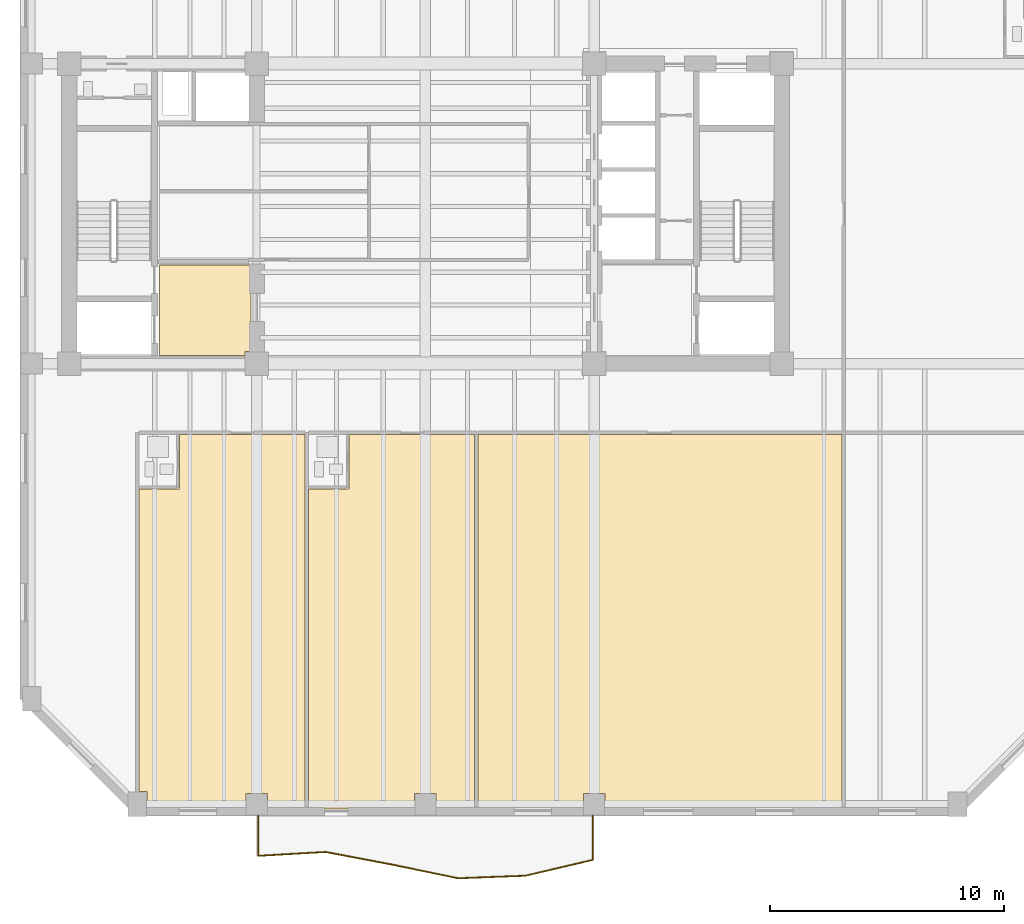
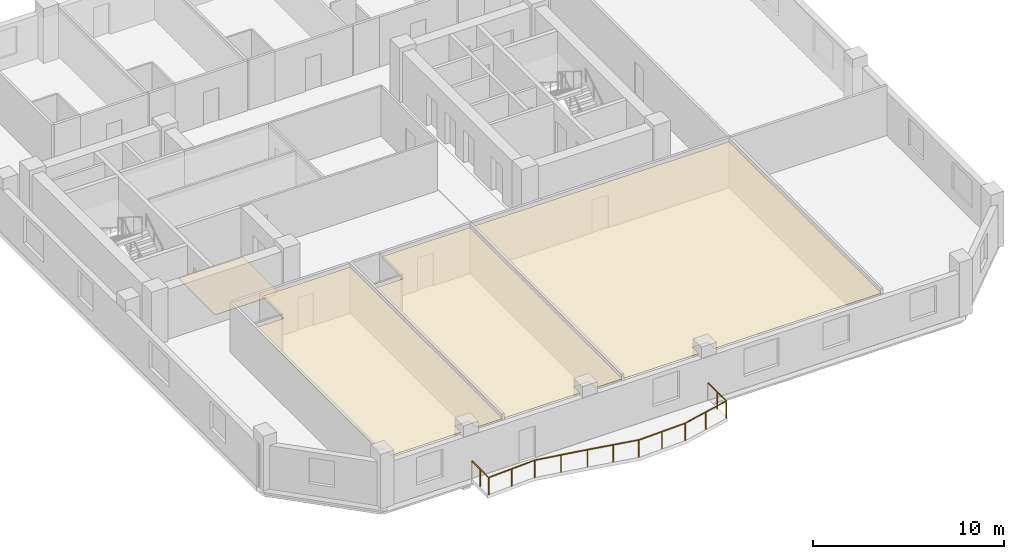
# One storey, part 7 of 10: 4 coverings, 1 railing.
"""IFC4 building model written with IfcOpenShell, lengths in metres."""

from ifc_helpers import new_model, si_unit, direction, frame, origin, origin_2d, place, context, subcontext, project, spatial, polyline, circle, outline, extrude, material, layer, layer_set, type_object, element, save


model = new_model("IFC4")

# Units and contexts
model_context = context("Model", 3, precision=1e-05, world=origin(), true_north=direction((0.0, 1.0)))
body_context = subcontext(model_context, "Body", "Model", "MODEL_VIEW")
ifc_project = project(units=[si_unit("LENGTHUNIT", "METRE"), si_unit("AREAUNIT", "SQUARE_METRE"), si_unit("VOLUMEUNIT", "CUBIC_METRE"), si_unit("PLANEANGLEUNIT", "RADIAN"), si_unit("MASSUNIT", "GRAM", prefix="KILO")], contexts=[model_context])

# Site, building, storey
site_placement = place(None, origin())
site = spatial("IfcSite", under=ifc_project, at=site_placement, CompositionType="ELEMENT")
building_placement = place(site_placement, origin())
building = spatial("IfcBuilding", under=site, at=building_placement, Name="Kranthara Brick Stack", CompositionType="ELEMENT")
storey_placement = place(building_placement, frame((0.0, 0.0, 144.800048828125)))
storey = spatial("IfcBuildingStorey", under=building, at=storey_placement, Name="L36", CompositionType="ELEMENT", Elevation=144.800048828125)

# Coverings
ifc_material_1 = material(Name="Perforated mineral-fibre acoustic ceiling tile", Category="other")
ifc_layer_1 = layer(ifc_material_1, 0.02490234375)
ifc_layer_set_1 = layer_set([ifc_layer_1], Name="Perforated mineral-fibre acoustic ceiling tile")
covering_type_1 = type_object("IfcCoveringType", Name="COV-CEIL-ACOUSTIC", PredefinedType="CEILING", material=ifc_layer_set_1)
covering_1_placement = place(storey_placement, frame((0.0, 0.0, 2.929931640625)))
element("IfcCovering", 1, at=covering_1_placement, inside=storey, type_object=covering_type_1, Name="L36 Room L36-01 Corner Junior Suite Acoustic Ceiling", PredefinedType="CEILING", context=body_context, shape_type="SweptSolid", body=[
    extrude(outline(polyline([(17.49658203125, 15.4599609375), (17.49658203125, 17.77001953125), (22.85595703125, 17.77001953125), (22.85595703125, 1.800048828125), (21.260009765625, 1.800048828125), (21.260009765625, 2.4599609375), (20.340087890625, 2.4599609375), (20.340087890625, 1.800048828125), (16.110107421875, 1.800048828125), (16.110107421875, 2.534912109375), (15.780029296875, 2.534912109375), (15.780029296875, 15.4599609375), (17.49658203125, 15.4599609375)])), origin(), (0.0, 0.0, 1.0), 0.02490234375),
])
covering_2_placement = place(storey_placement, frame((0.0, 0.0, 2.929931640625)))
element("IfcCovering", 2, at=covering_2_placement, inside=storey, type_object=covering_type_1, Name="L36 Room L36-02 Corner Junior Suite Acoustic Ceiling", PredefinedType="CEILING", context=body_context, shape_type="SweptSolid", body=[
    extrude(outline(polyline([(23.01611328125, 1.800048828125), (23.01611328125, 15.4599609375), (24.732666015625, 15.4599609375), (24.732666015625, 17.77001953125), (30.092041015625, 17.77001953125), (30.092041015625, 1.800048828125), (28.4599609375, 1.800048828125), (28.4599609375, 2.4599609375), (27.5400390625, 2.4599609375), (27.5400390625, 1.800048828125), (23.01611328125, 1.800048828125)])), origin(), (0.0, 0.0, 1.0), 0.02490234375),
])
covering_3_placement = place(storey_placement, frame((0.0, 0.0, 2.929931640625)))
element("IfcCovering", 3, at=covering_3_placement, inside=storey, type_object=covering_type_1, Name="L36 L36 Guest Sky Lounge 3 Acoustic Ceiling", PredefinedType="CEILING", context=body_context, shape_type="SweptSolid", body=[
    extrude(outline(polyline([(30.251953125, 1.800048828125), (30.251953125, 17.77001953125), (45.77001953125, 17.77001953125), (45.77001953125, 1.800048828125), (35.659912109375, 1.800048828125), (35.659912109375, 2.4599609375), (34.739990234375, 2.4599609375), (34.739990234375, 1.800048828125), (30.251953125, 1.800048828125)])), origin(), (0.0, 0.0, 1.0), 0.02490234375),
])
ifc_material_2 = material(Name="Honed terrazzo and porcelain floor finish", Category="stone")
ifc_layer_2 = layer(ifc_material_2, 0.030029296875)
ifc_layer_set_2 = layer_set([ifc_layer_2], Name="Honed terrazzo and porcelain floor finish")
covering_type_2 = type_object("IfcCoveringType", Name="COV-FLOR-STONE", PredefinedType="FLOORING", material=ifc_layer_set_2)
covering_4_placement = place(storey_placement, origin())
element("IfcCovering", 4, at=covering_4_placement, inside=storey, type_object=covering_type_2, Name="L36 Lift Lobby Stone Flooring", PredefinedType="FLOORING", context=body_context, shape_type="SweptSolid", body=[
    extrude(outline(polyline([(16.64990234375, 21.14990234375), (16.64990234375, 25.0), (20.550048828125, 25.0), (20.550048828125, 21.31005859375), (20.2900390625, 21.31005859375), (20.2900390625, 21.14990234375), (16.64990234375, 21.14990234375)])), origin(), (0.0, 0.0, 1.0), 0.030029296875),
])

# Railing
ifc_material_3 = material(Name="Bronze anodised aluminium and laminated glass balustrade", Category="aluminium")
railing_type = type_object("IfcRailingType", Name="RL-BALC-1120", PredefinedType="BALUSTRADE", material=ifc_material_3)
railing_placement = place(storey_placement, frame((35.139892578125, 1.56005859375, 0.0)))
element("IfcRailing", 5, at=railing_placement, inside=storey, type_object=railing_type, Name="L36 South Rippling Balcony Balustrade", PredefinedType="BALUSTRADE", context=body_context, shape_type="SweptSolid", body=[
    extrude(circle(Radius=0.02392578125, at=origin_2d()), frame((0.0, 0.0, 1.09619140625), z_axis=(0.000125992187, -0.999999992063, 0.0), x_axis=(0.999999992063, 0.000125992187, 0.0)), (0.0, 0.0, 1.0), 1.937744140625),
    extrude(circle(Radius=0.02392578125, at=origin_2d()), frame((0.000244140625, -1.937744140625, 1.09619140625), z_axis=(-0.973437737904, -0.228951895437, 0.0), x_axis=(0.228951895437, -0.973437737904, 0.0)), (0.0, 0.0, 1.0), 2.95703125),
    extrude(circle(Radius=0.02392578125, at=origin_2d()), frame((-2.878173828125, -2.61474609375, 1.09619140625), z_axis=(-0.999306068928, -0.037247558352, 0.0), x_axis=(0.037247558352, -0.999306068928, 0.0)), (0.0, 0.0, 1.0), 2.870849609375),
    extrude(circle(Radius=0.02392578125, at=origin_2d()), frame((-5.7470703125, -2.7216796875, 1.09619140625), z_axis=(-0.979209730576, 0.202850446253, 0.0), x_axis=(-0.202850446253, -0.979209730576, 0.0)), (0.0, 0.0, 1.0), 2.83544921875),
    extrude(circle(Radius=0.02392578125, at=origin_2d()), frame((-8.523681640625, -2.146484375, 1.09619140625), z_axis=(-0.982353889836, 0.187031642042, 0.0), x_axis=(-0.187031642042, -0.982353889836, 0.0)), (0.0, 0.0, 1.0), 2.927978515625),
    extrude(circle(Radius=0.02392578125, at=origin_2d()), frame((-11.39990234375, -1.598876953125, 1.09619140625), z_axis=(-0.998327941102, -0.05780416953, 0.0), x_axis=(0.05780416953, -0.998327941102, 0.0)), (0.0, 0.0, 1.0), 2.884765625),
    extrude(circle(Radius=0.02392578125, at=origin_2d()), frame((-14.27978515625, -1.765625, 1.09619140625), z_axis=(0.0, 1.0, 0.0), x_axis=(-1.0, 0.0, 0.0)), (0.0, 0.0, 1.0), 1.765625),
    extrude(circle(Radius=0.02099609375, at=origin_2d()), origin(), (0.0, 0.0, 1.0), 1.072021484375),
    extrude(circle(Radius=0.02099609375, at=origin_2d()), frame((0.0, -0.96875, 0.0)), (0.0, 0.0, 1.0), 1.072021484375),
    extrude(circle(Radius=0.02099609375, at=origin_2d()), frame((0.000244140625, -1.937744140625, 0.0)), (0.0, 0.0, 1.0), 1.072021484375),
    extrude(circle(Radius=0.02099609375, at=origin_2d()), frame((-1.43896484375, -2.2763671875, 0.0)), (0.0, 0.0, 1.0), 1.072021484375),
    extrude(circle(Radius=0.02099609375, at=origin_2d()), frame((-2.878173828125, -2.61474609375, 0.0)), (0.0, 0.0, 1.0), 1.072021484375),
    extrude(circle(Radius=0.02099609375, at=origin_2d()), frame((-4.3125, -2.668212890625, 0.0)), (0.0, 0.0, 1.0), 1.072021484375),
    extrude(circle(Radius=0.02099609375, at=origin_2d()), frame((-5.7470703125, -2.7216796875, 0.0)), (0.0, 0.0, 1.0), 1.072021484375),
    extrude(circle(Radius=0.02099609375, at=origin_2d()), frame((-7.13525390625, -2.43408203125, 0.0)), (0.0, 0.0, 1.0), 1.072021484375),
    extrude(circle(Radius=0.02099609375, at=origin_2d()), frame((-8.523681640625, -2.146484375, 0.0)), (0.0, 0.0, 1.0), 1.072021484375),
    extrude(circle(Radius=0.02099609375, at=origin_2d()), frame((-9.9619140625, -1.87255859375, 0.0)), (0.0, 0.0, 1.0), 1.072021484375),
    extrude(circle(Radius=0.02099609375, at=origin_2d()), frame((-11.39990234375, -1.598876953125, 0.0)), (0.0, 0.0, 1.0), 1.072021484375),
    extrude(circle(Radius=0.02099609375, at=origin_2d()), frame((-12.83984375, -1.68212890625, 0.0)), (0.0, 0.0, 1.0), 1.072021484375),
    extrude(circle(Radius=0.02099609375, at=origin_2d()), frame((-14.27978515625, -1.765625, 0.0)), (0.0, 0.0, 1.0), 1.072021484375),
    extrude(circle(Radius=0.02099609375, at=origin_2d()), frame((-14.27978515625, -0.8828125, 0.0)), (0.0, 0.0, 1.0), 1.072021484375),
    extrude(circle(Radius=0.02099609375, at=origin_2d()), frame((-14.27978515625, 0.0, 0.0)), (0.0, 0.0, 1.0), 1.072021484375),
])

save(model, "model.ifc")
